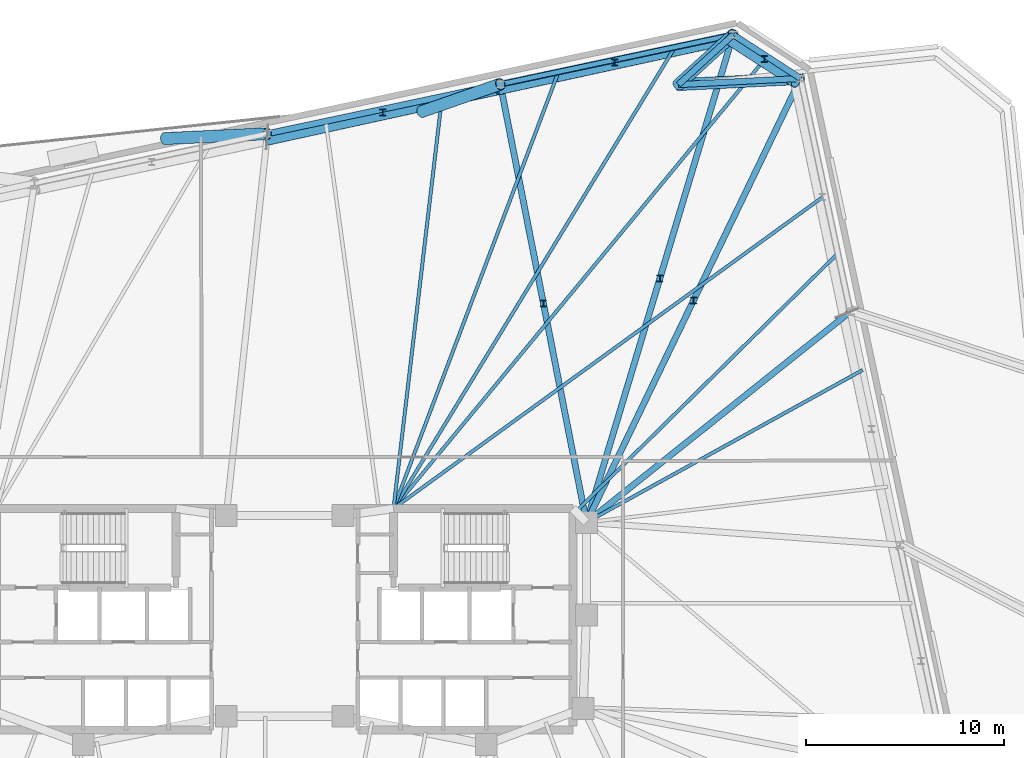
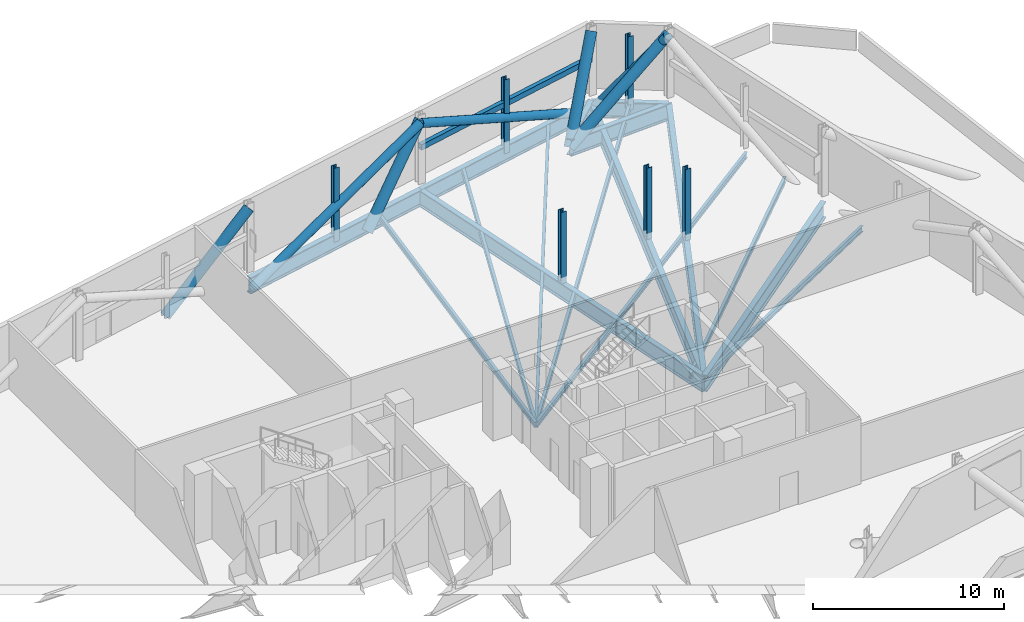
# One storey, part 10 of 19: 16 beams, 14 members.
"""IFC4 building model written with IfcOpenShell, lengths in metres."""

from ifc_helpers import new_model, si_unit, direction, frame, origin, origin_2d, place, context, subcontext, project, spatial, hollow_rectangle, hollow_circle, i_section, extrude, material, material_profile, profile_set, type_object, element, save


model = new_model("IFC4")

# Units and contexts
model_context = context("Model", 3, precision=1e-05, world=origin(), true_north=direction((0.0, 1.0)))
body_context = subcontext(model_context, "Body", "Model", "MODEL_VIEW")
ifc_project = project(units=[si_unit("LENGTHUNIT", "METRE"), si_unit("AREAUNIT", "SQUARE_METRE"), si_unit("VOLUMEUNIT", "CUBIC_METRE"), si_unit("PLANEANGLEUNIT", "RADIAN"), si_unit("MASSUNIT", "GRAM", prefix="KILO")], contexts=[model_context])

# Site, building, storey
site_placement = place(None, origin())
site = spatial("IfcSite", under=ifc_project, at=site_placement, CompositionType="ELEMENT")
building_placement = place(site_placement, origin())
building = spatial("IfcBuilding", under=site, at=building_placement, Name="Menara Jurai Vektor", CompositionType="ELEMENT")
storey_placement = place(building_placement, frame((0.0, 0.0, 142.89990234375)))
storey = spatial("IfcBuildingStorey", under=building, at=storey_placement, Name="L36", CompositionType="ELEMENT", Elevation=142.89990234375)

# Beams
ifc_material_1 = material(Name="Steel S460", Category="steel")
ifc_material_profile_1 = material_profile(ifc_material_1, i_section(OverallWidth=0.30908203125, OverallDepth=1.035888671875, WebThickness=0.030029296875, FlangeThickness=0.053955078125, FilletRadius=0.030029296875, at=origin_2d()), Name="UKB 1016x305x487")
ifc_profile_set_1 = profile_set([ifc_material_profile_1], Name="Steel S460")
beam_type_1 = type_object("IfcBeamType", Name="STR-BM-TR1016", PredefinedType="BEAM", material=ifc_profile_set_1)
beam_1_placement = place(storey_placement, frame((28.5771484375, 15.544921875, -0.9228515625), z_axis=(-0.781346163898, -0.624097886683, 0.0), x_axis=(0.624097886683, -0.781346163898, 0.0)))
element("IfcBeam", 1, at=beam_1_placement, inside=storey, type_object=beam_type_1, Name="Outrigger Transfer Girder L36-E3", PredefinedType="BEAM", context=body_context, shape_type="SweptSolid", body=[
    extrude(i_section(OverallWidth=0.30908203125, OverallDepth=1.035888671875, WebThickness=0.030029296875, FlangeThickness=0.053955078125, FilletRadius=0.030029296875, at=origin_2d()), origin(), (0.0, 0.0, 1.0), 17.056640625),
])
beam_2_placement = place(storey_placement, frame((26.0712890625, 27.33349609375, -0.9228515625), z_axis=(-0.838675623749, 0.544631249681, 0.0), x_axis=(-0.544631249681, -0.838675623749, 0.0)))
element("IfcBeam", 2, at=beam_2_placement, inside=storey, type_object=beam_type_1, Name="Belt Truss Bottom Chord L36-10", PredefinedType="BEAM", context=body_context, shape_type="SweptSolid", body=[
    extrude(i_section(OverallWidth=0.30908203125, OverallDepth=1.035888671875, WebThickness=0.030029296875, FlangeThickness=0.053955078125, FilletRadius=0.030029296875, at=origin_2d()), origin(), (0.0, 0.0, 1.0), 4.061767578125),
])
beam_3_placement = place(storey_placement, frame((19.896728515625, 27.02197265625, -0.9228515625), z_axis=(0.998729685661, 0.050388639394, 0.0), x_axis=(-0.050388639394, 0.998729685661, 0.0)))
element("IfcBeam", 3, at=beam_3_placement, inside=storey, type_object=beam_type_1, Name="Cantilever Transfer Girder L36-E4", PredefinedType="BEAM", context=body_context, shape_type="SweptSolid", body=[
    extrude(i_section(OverallWidth=0.30908203125, OverallDepth=1.035888671875, WebThickness=0.030029296875, FlangeThickness=0.053955078125, FilletRadius=0.030029296875, at=origin_2d()), origin(), (0.0, 0.0, 1.0), 6.182373046875),
])
beam_4_placement = place(storey_placement, frame((26.0712890625, 27.33349609375, -0.9228515625), z_axis=(-0.434465059539, -0.900688687639, 0.0), x_axis=(0.900688687639, -0.434465059539, 0.0)))
element("IfcBeam", 4, at=beam_4_placement, inside=storey, type_object=beam_type_1, Name="Outrigger Transfer Girder L36-E4", PredefinedType="BEAM", context=body_context, shape_type="SweptSolid", body=[
    extrude(i_section(OverallWidth=0.30908203125, OverallDepth=1.035888671875, WebThickness=0.030029296875, FlangeThickness=0.053955078125, FilletRadius=0.030029296875, at=origin_2d()), origin(), (0.0, 0.0, 1.0), 24.9072265625),
])
beam_5_placement = place(storey_placement, frame((22.664794921875, 29.545654296875, -0.9228515625), z_axis=(-0.978147039247, -0.207914332389, 0.0), x_axis=(0.207914332389, -0.978147039247, 0.0)))
element("IfcBeam", 5, at=beam_5_placement, inside=storey, type_object=beam_type_1, Name="Belt Truss Bottom Chord L36-11", PredefinedType="BEAM", context=body_context, shape_type="SweptSolid", body=[
    extrude(i_section(OverallWidth=0.30908203125, OverallDepth=1.035888671875, WebThickness=0.030029296875, FlangeThickness=0.053955078125, FilletRadius=0.030029296875, at=origin_2d()), origin(), (0.0, 0.0, 1.0), 12.03125),
])
beam_6_placement = place(storey_placement, frame((19.896728515625, 27.02197265625, -0.9228515625), z_axis=(0.738974931778, 0.673732922013, 0.0), x_axis=(-0.673732922013, 0.738974931778, 0.0)))
element("IfcBeam", 6, at=beam_6_placement, inside=storey, type_object=beam_type_1, Name="Cantilever Transfer Girder L36-N1", PredefinedType="BEAM", context=body_context, shape_type="SweptSolid", body=[
    extrude(i_section(OverallWidth=0.30908203125, OverallDepth=1.035888671875, WebThickness=0.030029296875, FlangeThickness=0.053955078125, FilletRadius=0.030029296875, at=origin_2d()), origin(), (0.0, 0.0, 1.0), 3.745849609375),
])
beam_7_placement = place(storey_placement, frame((22.664794921875, 29.545654296875, -0.9228515625), z_axis=(-0.288098843548, -0.957600676872, 0.0), x_axis=(0.957600676872, -0.288098843548, 0.0)))
element("IfcBeam", 7, at=beam_7_placement, inside=storey, type_object=beam_type_1, Name="Outrigger Transfer Girder L36-N1", PredefinedType="BEAM", context=body_context, shape_type="SweptSolid", body=[
    extrude(i_section(OverallWidth=0.30908203125, OverallDepth=1.035888671875, WebThickness=0.030029296875, FlangeThickness=0.053955078125, FilletRadius=0.030029296875, at=origin_2d()), origin(), (0.0, 0.0, 1.0), 25.737060546875),
])
beam_8_placement = place(storey_placement, frame((10.896484375, 27.044189453125, -0.9228515625), z_axis=(-0.978150288855, -0.207899043801, 0.0), x_axis=(0.207899043801, -0.978150288855, 0.0)))
element("IfcBeam", 8, at=beam_8_placement, inside=storey, type_object=beam_type_1, Name="Belt Truss Bottom Chord L36-12", PredefinedType="BEAM", context=body_context, shape_type="SweptSolid", body=[
    extrude(i_section(OverallWidth=0.30908203125, OverallDepth=1.035888671875, WebThickness=0.030029296875, FlangeThickness=0.053955078125, FilletRadius=0.030029296875, at=origin_2d()), origin(), (0.0, 0.0, 1.0), 12.031005859375),
])
beam_9_placement = place(storey_placement, frame((10.896484375, 27.044189453125, -0.9228515625), z_axis=(0.192905075816, -0.981217423268, 0.0), x_axis=(0.981217423268, 0.192905075816, 0.0)))
element("IfcBeam", 9, at=beam_9_placement, inside=storey, type_object=beam_type_1, Name="Outrigger Transfer Girder L36-N2", PredefinedType="BEAM", context=body_context, shape_type="SweptSolid", body=[
    extrude(i_section(OverallWidth=0.30908203125, OverallDepth=1.035888671875, WebThickness=0.030029296875, FlangeThickness=0.053955078125, FilletRadius=0.030029296875, at=origin_2d()), origin(), (0.0, 0.0, 1.0), 22.568115234375),
])

# Members
ifc_material_profile_2 = material_profile(ifc_material_1, hollow_circle(Radius=0.25390625, WallThickness=0.02001953125, at=origin_2d()), Name="CHS 508x20")
ifc_profile_set_2 = profile_set([ifc_material_profile_2], Name="Steel S460")
member_type_1 = type_object("IfcMemberType", Name="STR-BR-508", PredefinedType="BRACE", material=ifc_profile_set_2)
member_1_placement = place(storey_placement, frame((22.432373046875, 29.297607421875, -0.9228515625), z_axis=(0.532183182641, -0.344055466958, 0.773567641367), x_axis=(0.542919373932, 0.83978482566, 0.0)))
element("IfcMember", 10, at=member_1_placement, inside=storey, type_object=member_type_1, Name="Belt Truss Web Diagonal L36-10", PredefinedType="BRACE", context=body_context, shape_type="SweptSolid", body=[
    extrude(hollow_circle(Radius=0.25390625, WallThickness=0.02001953125, at=origin_2d()), origin(), (0.0, 0.0, 1.0), 6.353759765625),
])
member_2_placement = place(storey_placement, frame((22.432373046875, 29.297607421875, -0.9228515625), z_axis=(-0.90385380083, -0.197123874634, 0.379724222001), x_axis=(0.213083917, -0.977033901314, 0.0)))
element("IfcMember", 11, at=member_2_placement, inside=storey, type_object=member_type_1, Name="Belt Truss Web Diagonal L36-11", PredefinedType="BRACE", context=body_context, shape_type="SweptSolid", body=[
    extrude(hollow_circle(Radius=0.25390625, WallThickness=0.02001953125, at=origin_2d()), origin(), (0.0, 0.0, 1.0), 12.943603515625),
])
member_3_placement = place(storey_placement, frame((-0.8955078125, 24.20361328125, -0.9228515625), z_axis=(0.902973818169, 0.197425402415, 0.381656251336), x_axis=(-0.213593504535, 0.976922624787, 0.0)))
element("IfcMember", 12, at=member_3_placement, inside=storey, type_object=member_type_1, Name="Belt Truss Web Diagonal L36-12", PredefinedType="BRACE", context=body_context, shape_type="SweptSolid", body=[
    extrude(hollow_circle(Radius=0.25390625, WallThickness=0.02001953125, at=origin_2d()), origin(), (0.0, 0.0, 1.0), 12.878173828125),
])
ifc_material_profile_3 = material_profile(ifc_material_1, hollow_rectangle(XDim=0.25, YDim=0.35009765625, WallThickness=0.012451171875, at=origin_2d()), Name="RHS 350x250x12.5")
ifc_profile_set_3 = profile_set([ifc_material_profile_3], Name="Steel S460")
member_type_2 = type_object("IfcMemberType", Name="STR-CH-RHS350", PredefinedType="CHORD", material=ifc_profile_set_3)
member_4_placement = place(storey_placement, frame((22.664794921875, 29.545654296875, 2.255126953125), z_axis=(-0.978147039247, -0.207914332389, 0.0), x_axis=(0.207914332389, -0.978147039247, 0.0)))
element("IfcMember", 13, at=member_4_placement, inside=storey, type_object=member_type_2, Name="Belt Truss Mid Chord L36-11", PredefinedType="CHORD", context=body_context, shape_type="SweptSolid", body=[
    extrude(hollow_rectangle(XDim=0.25, YDim=0.35009765625, WallThickness=0.012451171875, at=origin_2d()), origin(), (0.0, 0.0, 1.0), 12.03125),
])

# Beams
ifc_material_2 = material(Name="Steel S355", Category="steel")
ifc_material_profile_4 = material_profile(ifc_material_2, i_section(OverallWidth=0.172119140625, OverallDepth=0.35498046875, WebThickness=0.007080078125, FlangeThickness=0.011962890625, FilletRadius=0.010009765625, at=origin_2d()), Name="UKB 356x171x51")
ifc_profile_set_4 = profile_set([ifc_material_profile_4], Name="Steel S355")
beam_type_2 = type_object("IfcBeamType", Name="STR-JS-356", PredefinedType="JOIST", material=ifc_profile_set_4)
beam_10_placement = place(storey_placement, frame((29.20361328125, 12.597900390625, -0.58251953125), z_axis=(-0.875592207488, -0.483051018202, 0.0), x_axis=(0.483051018202, -0.875592207488, 0.0)))
element("IfcBeam", 14, at=beam_10_placement, inside=storey, type_object=beam_type_2, Name="Radial Secondary Floor Joist L36-JS14", PredefinedType="JOIST", context=body_context, shape_type="SweptSolid", body=[
    extrude(i_section(OverallWidth=0.172119140625, OverallDepth=0.35498046875, WebThickness=0.007080078125, FlangeThickness=0.011962890625, FilletRadius=0.010009765625, at=origin_2d()), origin(), (0.0, 0.0, 1.0), 15.936279296875),
])
beam_11_placement = place(storey_placement, frame((27.95068359375, 18.4921875, -0.58251953125), z_axis=(-0.712171791789, -0.702005227174, 0.0), x_axis=(0.702005227174, -0.712171791789, 0.0)))
element("IfcBeam", 15, at=beam_11_placement, inside=storey, type_object=beam_type_2, Name="Radial Secondary Floor Joist L36-JS15", PredefinedType="JOIST", context=body_context, shape_type="SweptSolid", body=[
    extrude(i_section(OverallWidth=0.172119140625, OverallDepth=0.35498046875, WebThickness=0.007080078125, FlangeThickness=0.011962890625, FilletRadius=0.010009765625, at=origin_2d()), origin(), (0.0, 0.0, 1.0), 18.5869140625),
])
beam_12_placement = place(storey_placement, frame((27.32421875, 21.439208984375, -0.58251953125), z_axis=(-0.809318640486, -0.587369847848, 0.0), x_axis=(0.587369847848, -0.809318640486, 0.0)))
element("IfcBeam", 16, at=beam_12_placement, inside=storey, type_object=beam_type_2, Name="Radial Secondary Floor Joist L36-JS16", PredefinedType="JOIST", context=body_context, shape_type="SweptSolid", body=[
    extrude(i_section(OverallWidth=0.172119140625, OverallDepth=0.35498046875, WebThickness=0.007080078125, FlangeThickness=0.011962890625, FilletRadius=0.010009765625, at=origin_2d()), origin(), (0.0, 0.0, 1.0), 26.966064453125),
])
beam_13_placement = place(storey_placement, frame((24.3681640625, 28.439697265625, -0.58251953125), z_axis=(-0.636894863934, -0.770950667873, 0.0), x_axis=(0.770950667873, -0.636894863934, 0.0)))
element("IfcBeam", 17, at=beam_13_placement, inside=storey, type_object=beam_type_2, Name="Radial Secondary Floor Joist L36-JS17", PredefinedType="JOIST", context=body_context, shape_type="SweptSolid", body=[
    extrude(i_section(OverallWidth=0.172119140625, OverallDepth=0.35498046875, WebThickness=0.007080078125, FlangeThickness=0.011962890625, FilletRadius=0.010009765625, at=origin_2d()), origin(), (0.0, 0.0, 1.0), 29.625244140625),
])
beam_14_placement = place(storey_placement, frame((19.72265625, 28.92041015625, -0.58251953125), z_axis=(-0.520686242997, -0.8537481106, 0.0), x_axis=(0.8537481106, -0.520686242997, 0.0)))
element("IfcBeam", 18, at=beam_14_placement, inside=storey, type_object=beam_type_2, Name="Radial Secondary Floor Joist L36-JS18", PredefinedType="JOIST", context=body_context, shape_type="SweptSolid", body=[
    extrude(i_section(OverallWidth=0.172119140625, OverallDepth=0.35498046875, WebThickness=0.007080078125, FlangeThickness=0.011962890625, FilletRadius=0.010009765625, at=origin_2d()), origin(), (0.0, 0.0, 1.0), 27.315185546875),
])
beam_15_placement = place(storey_placement, frame((13.838623046875, 27.669677734375, -0.58251953125), z_axis=(-0.353446048928, -0.935454910991, 0.0), x_axis=(0.935454910991, -0.353446048928, 0.0)))
element("IfcBeam", 19, at=beam_15_placement, inside=storey, type_object=beam_type_2, Name="Radial Secondary Floor Joist L36-JS19", PredefinedType="JOIST", context=body_context, shape_type="SweptSolid", body=[
    extrude(i_section(OverallWidth=0.172119140625, OverallDepth=0.35498046875, WebThickness=0.007080078125, FlangeThickness=0.011962890625, FilletRadius=0.010009765625, at=origin_2d()), origin(), (0.0, 0.0, 1.0), 23.59228515625),
])
beam_16_placement = place(storey_placement, frame((7.95458984375, 26.4189453125, -0.58251953125), z_axis=(-0.117091260338, -0.99312115915, 0.0), x_axis=(0.99312115915, -0.117091260338, 0.0)))
element("IfcBeam", 20, at=beam_16_placement, inside=storey, type_object=beam_type_2, Name="Radial Secondary Floor Joist L36-JS20", PredefinedType="JOIST", context=body_context, shape_type="SweptSolid", body=[
    extrude(i_section(OverallWidth=0.172119140625, OverallDepth=0.35498046875, WebThickness=0.007080078125, FlangeThickness=0.011962890625, FilletRadius=0.010009765625, at=origin_2d()), origin(), (0.0, 0.0, 1.0), 20.963134765625),
])

# Members
ifc_material_profile_5 = material_profile(ifc_material_1, i_section(OverallWidth=0.31103515625, OverallDepth=0.326904296875, WebThickness=0.01611328125, FlangeThickness=0.02490234375, FilletRadius=0.014892578125, at=origin_2d()), Name="UKC 305x305x158")
ifc_profile_set_5 = profile_set([ifc_material_profile_5], Name="Steel S460")
member_type_3 = type_object("IfcMemberType", Name="STR-POST-305", PredefinedType="POST", material=ifc_profile_set_5)
member_5_placement = place(storey_placement, frame((20.66064453125, 16.11669921875, -0.40478515625), z_axis=(0.0, 0.0, 1.0), x_axis=(1.0, 0.0, 0.0)))
element("IfcMember", 21, at=member_5_placement, inside=storey, type_object=member_type_3, Name="Girder Hanger L36-E4", PredefinedType="POST", context=body_context, shape_type="SweptSolid", body=[
    extrude(i_section(OverallWidth=0.31103515625, OverallDepth=0.326904296875, WebThickness=0.01611328125, FlangeThickness=0.02490234375, FilletRadius=0.014892578125, at=origin_2d()), origin(), (0.0, 0.0, 1.0), 4.554931640625),
])
member_6_placement = place(storey_placement, frame((24.238037109375, 28.315185546875, -0.7548828125), z_axis=(0.0, 0.0, 1.0), x_axis=(1.0, 0.0, 0.0)))
element("IfcMember", 22, at=member_6_placement, inside=storey, type_object=member_type_3, Name="Belt Truss Vertical Web Post L36-10", PredefinedType="POST", context=body_context, shape_type="SweptSolid", body=[
    extrude(i_section(OverallWidth=0.31103515625, OverallDepth=0.326904296875, WebThickness=0.01611328125, FlangeThickness=0.02490234375, FilletRadius=0.014892578125, at=origin_2d()), origin(), (0.0, 0.0, 1.0), 4.705078125),
])
member_7_placement = place(storey_placement, frame((18.95751953125, 17.222900390625, -0.40478515625), z_axis=(0.0, 0.0, 1.0), x_axis=(1.0, 0.0, 0.0)))
element("IfcMember", 23, at=member_7_placement, inside=storey, type_object=member_type_3, Name="Girder Hanger L36-N1", PredefinedType="POST", context=body_context, shape_type="SweptSolid", body=[
    extrude(i_section(OverallWidth=0.31103515625, OverallDepth=0.326904296875, WebThickness=0.01611328125, FlangeThickness=0.02490234375, FilletRadius=0.014892578125, at=origin_2d()), origin(), (0.0, 0.0, 1.0), 4.554931640625),
])
member_8_placement = place(storey_placement, frame((16.672607421875, 28.151123046875, -0.7548828125), z_axis=(0.0, 0.0, 1.0), x_axis=(1.0, 0.0, 0.0)))
element("IfcMember", 24, at=member_8_placement, inside=storey, type_object=member_type_3, Name="Belt Truss Vertical Web Post L36-11", PredefinedType="POST", context=body_context, shape_type="SweptSolid", body=[
    extrude(i_section(OverallWidth=0.31103515625, OverallDepth=0.326904296875, WebThickness=0.01611328125, FlangeThickness=0.02490234375, FilletRadius=0.014892578125, at=origin_2d()), origin(), (0.0, 0.0, 1.0), 4.705078125),
])
member_9_placement = place(storey_placement, frame((13.0732421875, 15.97216796875, -0.40478515625), z_axis=(0.0, 0.0, 1.0), x_axis=(1.0, 0.0, 0.0)))
element("IfcMember", 25, at=member_9_placement, inside=storey, type_object=member_type_3, Name="Girder Hanger L36-N2", PredefinedType="POST", context=body_context, shape_type="SweptSolid", body=[
    extrude(i_section(OverallWidth=0.31103515625, OverallDepth=0.326904296875, WebThickness=0.01611328125, FlangeThickness=0.02490234375, FilletRadius=0.014892578125, at=origin_2d()), origin(), (0.0, 0.0, 1.0), 4.554931640625),
])
member_10_placement = place(storey_placement, frame((4.957275390625, 25.622314453125, -0.7548828125), z_axis=(0.0, 0.0, 1.0), x_axis=(1.0, 0.0, 0.0)))
element("IfcMember", 26, at=member_10_placement, inside=storey, type_object=member_type_3, Name="Belt Truss Vertical Web Post L36-12", PredefinedType="POST", context=body_context, shape_type="SweptSolid", body=[
    extrude(i_section(OverallWidth=0.31103515625, OverallDepth=0.326904296875, WebThickness=0.01611328125, FlangeThickness=0.02490234375, FilletRadius=0.014892578125, at=origin_2d()), origin(), (0.0, 0.0, 1.0), 4.705078125),
])
ifc_material_profile_6 = material_profile(ifc_material_1, hollow_circle(Radius=0.304931640625, WallThickness=0.02490234375, at=origin_2d()), Name="CHS 610x25")
ifc_profile_set_6 = profile_set([ifc_material_profile_6], Name="Steel S460")
member_type_4 = type_object("IfcMemberType", Name="STR-ST-610", PredefinedType="STRUT", material=ifc_profile_set_6)
member_11_placement = place(storey_placement, frame((19.896728515625, 27.02197265625, -0.9228515625), z_axis=(0.781778778709, 0.039442873814, 0.622307159581), x_axis=(-0.050388639394, 0.998729685661, 0.0)))
element("IfcMember", 27, at=member_11_placement, inside=storey, type_object=member_type_4, Name="Transfer Outrigger Strut L36-E4", PredefinedType="STRUT", context=body_context, shape_type="SweptSolid", body=[
    extrude(hollow_circle(Radius=0.304931640625, WallThickness=0.02490234375, at=origin_2d()), origin(), (0.0, 0.0, 1.0), 7.898193359375),
])
member_12_placement = place(storey_placement, frame((19.896728515625, 27.02197265625, -0.9228515625), z_axis=(0.447928474803, 0.408382134772, 0.79535156595), x_axis=(-0.673732922013, 0.738974931778, 0.0)))
element("IfcMember", 28, at=member_12_placement, inside=storey, type_object=member_type_4, Name="Transfer Outrigger Strut L36-N1", PredefinedType="STRUT", context=body_context, shape_type="SweptSolid", body=[
    extrude(hollow_circle(Radius=0.304931640625, WallThickness=0.02490234375, at=origin_2d()), origin(), (0.0, 0.0, 1.0), 6.1796875),
])
member_13_placement = place(storey_placement, frame((6.9169921875, 25.65771484375, -0.9228515625), z_axis=(0.614661902365, 0.21415122353, 0.7591640134), x_axis=(-0.329008185669, 0.944327069274, 0.0)))
element("IfcMember", 29, at=member_13_placement, inside=storey, type_object=member_type_4, Name="Transfer Outrigger Strut L36-N2", PredefinedType="STRUT", context=body_context, shape_type="SweptSolid", body=[
    extrude(hollow_circle(Radius=0.304931640625, WallThickness=0.02490234375, at=origin_2d()), origin(), (0.0, 0.0, 1.0), 6.474365234375),
])
member_14_placement = place(storey_placement, frame((-6.0625, 24.29345703125, -0.9228515625), z_axis=(0.725697418503, 0.034882078907, 0.687129170789), x_axis=(-0.048011542194, 0.998846780951, 0.0)))
element("IfcMember", 30, at=member_14_placement, inside=storey, type_object=member_type_4, Name="Transfer Outrigger Strut L36-N3", PredefinedType="STRUT", context=body_context, shape_type="SweptSolid", body=[
    extrude(hollow_circle(Radius=0.304931640625, WallThickness=0.02490234375, at=origin_2d()), origin(), (0.0, 0.0, 1.0), 7.153076171875),
])

save(model, "model.ifc")
